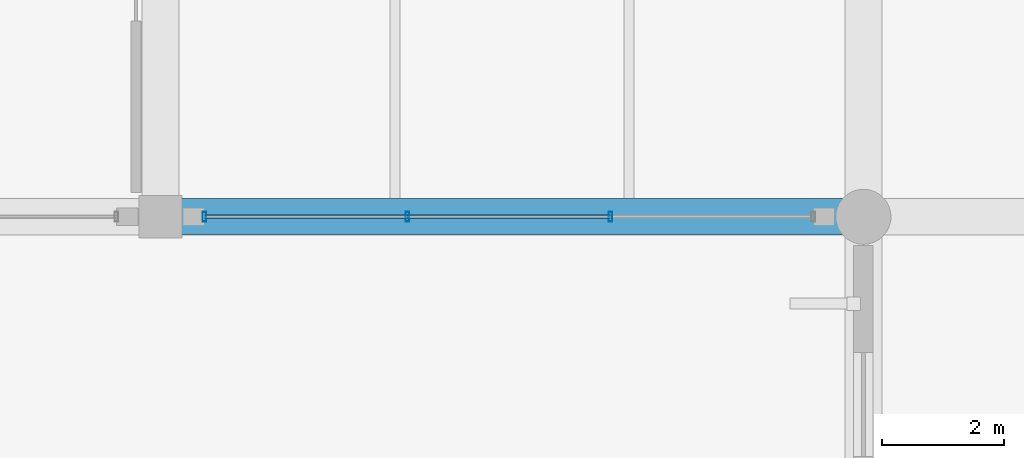
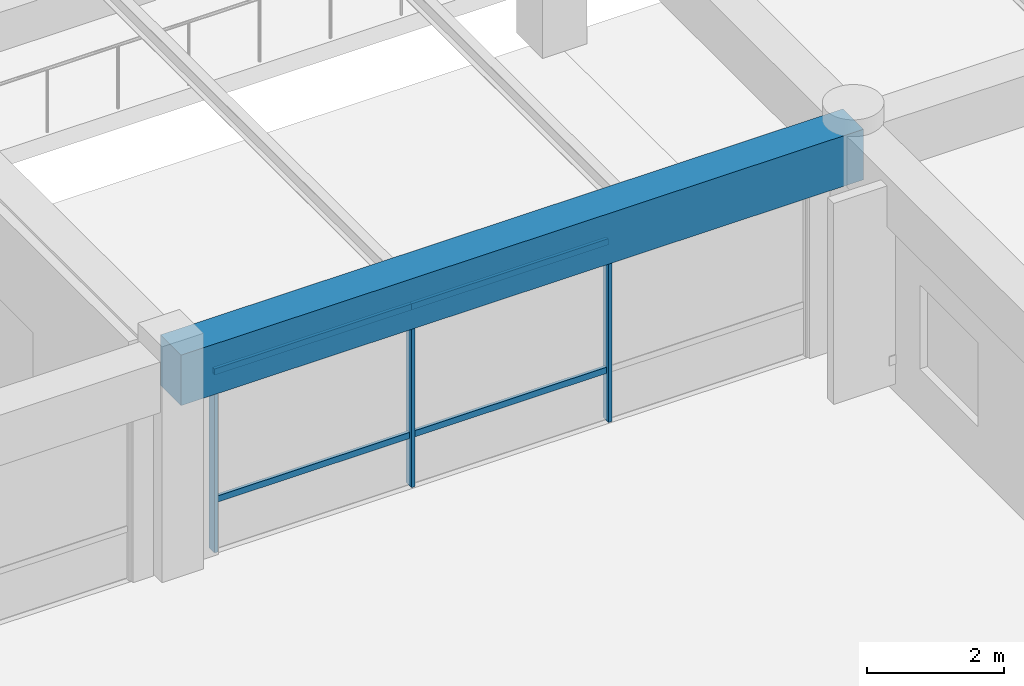
# One storey, part 11 of 109: 7 members, 1 beam, 1 element without a shape of its own.
"""IFC4 building model written with IfcOpenShell, lengths in metres."""

from ifc_helpers import new_model, si_unit, direction, frame, origin, origin_2d, place, context, subcontext, project, spatial, rectangle, hollow_rectangle, extrude, material, material_profile, profile_set, type_object, element, aggregate, save


model = new_model("IFC4")

# Units and contexts
model_context = context("Model", 3, precision=1e-05, world=origin(), true_north=direction((0.0, 1.0)))
body_context = subcontext(model_context, "Body", "Model", "MODEL_VIEW")
ifc_project = project(units=[si_unit("LENGTHUNIT", "METRE"), si_unit("AREAUNIT", "SQUARE_METRE"), si_unit("VOLUMEUNIT", "CUBIC_METRE"), si_unit("PLANEANGLEUNIT", "RADIAN"), si_unit("MASSUNIT", "GRAM", prefix="KILO")], contexts=[model_context])

# Site, building, storey
site_placement = place(None, origin())
site = spatial("IfcSite", under=ifc_project, at=site_placement, CompositionType="ELEMENT")
building_placement = place(site_placement, origin())
building = spatial("IfcBuilding", under=site, at=building_placement, Name="Ologun Quay Terminus", CompositionType="ELEMENT")
storey_placement = place(building_placement, origin())
storey = spatial("IfcBuildingStorey", under=building, at=storey_placement, Name="L00", CompositionType="ELEMENT", Elevation=0.0)

# Curtain wall, members
ifc_material_1 = material(Name="Aluminium 6063-T6", Category="aluminium")
curtain_wall_type = type_object("IfcCurtainWallType", Name="Forecourt Arcade Curtain Wall 10700x3750", PredefinedType="USERDEFINED", material=ifc_material_1)
curtain_wall_placement = place(storey_placement, origin())
curtain_wall = element("IfcCurtainWall", 1, at=curtain_wall_placement, inside=storey, type_object=curtain_wall_type, Name="CW-03 Curtain Wall CW-L00-003", ObjectType="UNITISED CURTAIN WALL", PredefinedType="USERDEFINED")
ifc_material_2 = material(Name="Aluminium 6063-T6", Category="aluminium")
ifc_material_profile_1 = material_profile(ifc_material_2, hollow_rectangle(XDim=0.06005859375, YDim=0.159912109375, WallThickness=0.00390625, at=origin_2d()), Name="ALU 160x60x4")
ifc_profile_set_1 = profile_set([ifc_material_profile_1], Name="Aluminium 6063-T6")
member_type_1 = type_object("IfcMemberType", Name="Curtain Wall Standard Mullion 160x65", PredefinedType="MULLION", material=ifc_profile_set_1)
member_1_placement = place(storey_placement, frame((46.719970703125, 27.199951171875, 0.0), z_axis=(0.0, 0.0, 1.0), x_axis=(1.0, 0.0, 0.0)))
member_1 = element("IfcMember", 2, at=member_1_placement, type_object=member_type_1, Name="CW-L00-003 Mullion 1", PredefinedType="MULLION", context=body_context, shape_type="SweptSolid", body=[
    extrude(hollow_rectangle(XDim=0.06005859375, YDim=0.159912109375, WallThickness=0.00390625, at=origin_2d()), origin(), (0.0, 0.0, 1.0), 3.8798828125),
])
member_2_placement = place(storey_placement, frame((50.0400390625, 27.199951171875, 0.0), z_axis=(0.0, 0.0, 1.0), x_axis=(1.0, 0.0, 0.0)))
member_2 = element("IfcMember", 3, at=member_2_placement, type_object=member_type_1, Name="CW-L00-003 Mullion 2", PredefinedType="MULLION", context=body_context, shape_type="SweptSolid", body=[
    extrude(hollow_rectangle(XDim=0.06005859375, YDim=0.159912109375, WallThickness=0.00390625, at=origin_2d()), origin(), (0.0, 0.0, 1.0), 3.8798828125),
])
member_3_placement = place(storey_placement, frame((53.360107421875, 27.199951171875, 0.0), z_axis=(0.0, 0.0, 1.0), x_axis=(1.0, 0.0, 0.0)))
member_3 = element("IfcMember", 4, at=member_3_placement, type_object=member_type_1, Name="CW-L00-003 Mullion 3", PredefinedType="MULLION", context=body_context, shape_type="SweptSolid", body=[
    extrude(hollow_rectangle(XDim=0.06005859375, YDim=0.159912109375, WallThickness=0.00390625, at=origin_2d()), origin(), (0.0, 0.0, 1.0), 3.8798828125),
])
ifc_material_3 = material(Name="Aluminium 6063-T6", Category="aluminium")
ifc_material_profile_2 = material_profile(ifc_material_3, hollow_rectangle(XDim=0.054931640625, YDim=0.110107421875, WallThickness=0.00390625, at=origin_2d()), Name="ALU 110x55x4")
ifc_profile_set_2 = profile_set([ifc_material_profile_2], Name="Aluminium 6063-T6")
member_type_2 = type_object("IfcMemberType", Name="Curtain Wall Standard Transom 110x55", PredefinedType="USERDEFINED", material=ifc_profile_set_2)
member_4_placement = place(storey_placement, frame((46.719970703125, 27.199951171875, 0.89990234375), z_axis=(1.0, 0.0, 0.0), x_axis=(0.0, 1.0, 0.0)))
member_4 = element("IfcMember", 5, at=member_4_placement, type_object=member_type_2, Name="CW-L00-003 Transom B1-1", ObjectType="TRANSOM", PredefinedType="USERDEFINED", context=body_context, shape_type="SweptSolid", body=[
    extrude(hollow_rectangle(XDim=0.054931640625, YDim=0.110107421875, WallThickness=0.00390625, at=origin_2d()), origin(), (0.0, 0.0, 1.0), 3.320068359375),
])
member_5_placement = place(storey_placement, frame((46.719970703125, 27.199951171875, 3.179931640625), z_axis=(1.0, 0.0, 0.0), x_axis=(0.0, 1.0, 0.0)))
member_5 = element("IfcMember", 6, at=member_5_placement, type_object=member_type_2, Name="CW-L00-003 Transom B1-2", ObjectType="TRANSOM", PredefinedType="USERDEFINED", context=body_context, shape_type="SweptSolid", body=[
    extrude(hollow_rectangle(XDim=0.054931640625, YDim=0.110107421875, WallThickness=0.00390625, at=origin_2d()), origin(), (0.0, 0.0, 1.0), 3.320068359375),
])
member_6_placement = place(storey_placement, frame((50.0400390625, 27.199951171875, 0.89990234375), z_axis=(1.0, 0.0, 0.0), x_axis=(0.0, 1.0, 0.0)))
member_6 = element("IfcMember", 7, at=member_6_placement, type_object=member_type_2, Name="CW-L00-003 Transom B2-1", ObjectType="TRANSOM", PredefinedType="USERDEFINED", context=body_context, shape_type="SweptSolid", body=[
    extrude(hollow_rectangle(XDim=0.054931640625, YDim=0.110107421875, WallThickness=0.00390625, at=origin_2d()), origin(), (0.0, 0.0, 1.0), 3.320068359375),
])
member_7_placement = place(storey_placement, frame((50.0400390625, 27.199951171875, 3.179931640625), z_axis=(1.0, 0.0, 0.0), x_axis=(0.0, 1.0, 0.0)))
member_7 = element("IfcMember", 8, at=member_7_placement, type_object=member_type_2, Name="CW-L00-003 Transom B2-2", ObjectType="TRANSOM", PredefinedType="USERDEFINED", context=body_context, shape_type="SweptSolid", body=[
    extrude(hollow_rectangle(XDim=0.054931640625, YDim=0.110107421875, WallThickness=0.00390625, at=origin_2d()), origin(), (0.0, 0.0, 1.0), 3.320068359375),
])
aggregate(curtain_wall, [member_1, member_2, member_3, member_4, member_5, member_6, member_7])

# Beam
ifc_material_4 = material(Name="Concrete C40/50", Category="concrete")
ifc_material_profile_3 = material_profile(ifc_material_4, rectangle(XDim=0.60009765625, YDim=0.89990234375, at=origin_2d()), Name="RC 600x900")
ifc_profile_set_3 = profile_set([ifc_material_profile_3], Name="Concrete C40/50")
beam_type = type_object("IfcBeamType", Name="Station Frame Girder 600x900", PredefinedType="BEAM", material=ifc_profile_set_3)
beam_placement = place(storey_placement, frame((46.0, 27.199951171875, 3.449951171875), z_axis=(1.0, 0.0, 0.0), x_axis=(0.0, 1.0, 0.0)))
element("IfcBeam", 9, at=beam_placement, inside=storey, type_object=beam_type, Name="B3 Beam 5/D L00", PredefinedType="BEAM", context=body_context, shape_type="SweptSolid", body=[
    extrude(rectangle(XDim=0.60009765625, YDim=0.89990234375, at=origin_2d()), origin(), (0.0, 0.0, 1.0), 11.5),
])

save(model, "model.ifc")
